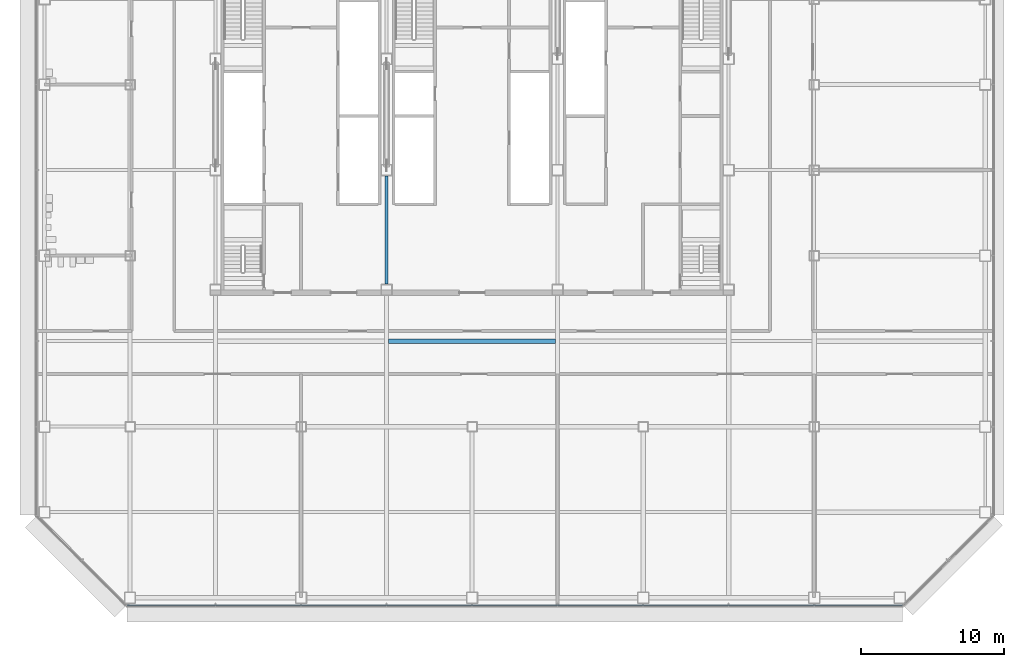
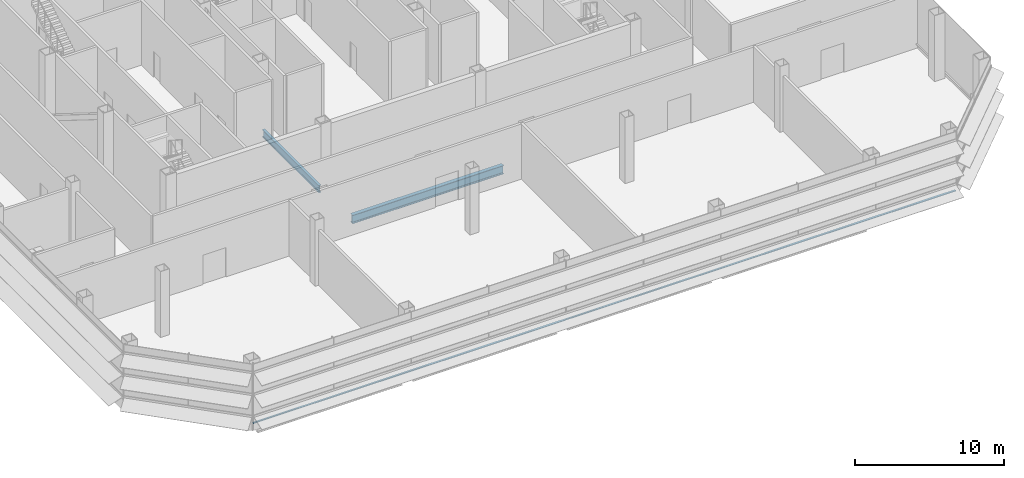
# One storey, part 6 of 23: 2 beams, 1 member, 1 element without a shape of its own.
"""IFC4 building model written with IfcOpenShell, lengths in metres."""

from ifc_helpers import new_model, si_unit, direction, frame, origin, origin_2d, place, context, subcontext, project, spatial, rectangle, i_section, extrude, material, material_profile, profile_set, type_object, element, aggregate, save


model = new_model("IFC4")

# Units and contexts
model_context = context("Model", 3, precision=1e-05, world=origin(), true_north=direction((0.0, 1.0)))
body_context = subcontext(model_context, "Body", "Model", "MODEL_VIEW")
ifc_project = project(units=[si_unit("LENGTHUNIT", "METRE"), si_unit("AREAUNIT", "SQUARE_METRE"), si_unit("VOLUMEUNIT", "CUBIC_METRE"), si_unit("PLANEANGLEUNIT", "RADIAN"), si_unit("MASSUNIT", "GRAM", prefix="KILO")], contexts=[model_context])

# Site, building, storey
site_placement = place(None, origin())
site = spatial("IfcSite", under=ifc_project, at=site_placement, CompositionType="ELEMENT")
building_placement = place(site_placement, origin())
building = spatial("IfcBuilding", under=site, at=building_placement, Name="Sorahane Residences", CompositionType="ELEMENT")
storey_placement = place(building_placement, frame((0.0, 0.0, 114.199951171875)))
storey = spatial("IfcBuildingStorey", under=building, at=storey_placement, Name="L25", CompositionType="ELEMENT", Elevation=114.199951171875)

# Curtain wall, member
ifc_material_1 = material(Name="Dark low-e glass and black anodised aluminium", Category="aluminium")
curtain_wall_type = type_object("IfcCurtainWallType", Name="Curtain wall CW-4 Sky floor frameless wall", PredefinedType="NOTDEFINED", material=ifc_material_1)
curtain_wall_placement = place(storey_placement, origin())
curtain_wall = element("IfcCurtainWall", 1, at=curtain_wall_placement, inside=storey, type_object=curtain_wall_type, Name="CW-4 curtain wall L25 S1", PredefinedType="NOTDEFINED")
ifc_material_2 = material(Name="Black anodised aluminium", Category="aluminium")
ifc_material_profile_1 = material_profile(ifc_material_2, rectangle(XDim=0.10009765625, YDim=0.06005859375, at=origin_2d()), Name="Curtain wall transom CW-4 black anodised aluminium 60x100")
ifc_profile_set_1 = profile_set([ifc_material_profile_1], Name="Black anodised aluminium")
member_type = type_object("IfcMemberType", Name="Curtain wall transom CW-4 black anodised aluminium 60x100", PredefinedType="USERDEFINED", material=ifc_profile_set_1)
member_placement = place(storey_placement, frame((-0.198486328125, -0.530029296875, 0.35009765625), z_axis=(1.0, 0.0, 0.0), x_axis=(0.0, 1.0, 0.0)))
member = element("IfcMember", 2, at=member_placement, type_object=member_type, Name="CW-4 transom L25 S1", ObjectType="TRANSOM", PredefinedType="USERDEFINED", context=body_context, shape_type="SweptSolid", body=[
    extrude(rectangle(XDim=0.10009765625, YDim=0.06005859375, at=origin_2d()), origin(), (0.0, 0.0, 1.0), 54.39697265625),
])
aggregate(curtain_wall, [member])

# Beams
ifc_material_3 = material(Name="Steel Q355B", Category="steel")
ifc_material_profile_2 = material_profile(ifc_material_3, i_section(OverallWidth=0.199951171875, OverallDepth=0.60009765625, WebThickness=0.010986328125, FlangeThickness=0.01708984375, FilletRadius=0.02392578125, at=origin_2d()), Name="HN 600x200x11x17")
ifc_profile_set_2 = profile_set([ifc_material_profile_2], Name="Steel Q355B")
beam_type_1 = type_object("IfcBeamType", Name="Steel floor beam HN 600x200x11x17 Q355B", PredefinedType="BEAM", material=ifc_profile_set_2)
beam_1_placement = place(storey_placement, frame((18.0, 22.0, -0.52001953125), z_axis=(0.0, 1.0, 0.0), x_axis=(-1.0, 0.0, 0.0)))
element("IfcBeam", 3, at=beam_1_placement, inside=storey, type_object=beam_type_1, Name="Beam L25 038", PredefinedType="BEAM", context=body_context, shape_type="SweptSolid", body=[
    extrude(i_section(OverallWidth=0.199951171875, OverallDepth=0.60009765625, WebThickness=0.010986328125, FlangeThickness=0.01708984375, FilletRadius=0.02392578125, at=origin_2d()), origin(), (0.0, 0.0, 1.0), 7.60009765625),
])
ifc_material_4 = material(Name="Steel Q355B", Category="steel")
ifc_material_profile_3 = material_profile(ifc_material_4, i_section(OverallWidth=0.300048828125, OverallDepth=0.699951171875, WebThickness=0.012939453125, FlangeThickness=0.02392578125, FilletRadius=0.028076171875, at=origin_2d()), Name="HN 700x300x13x24")
ifc_profile_set_3 = profile_set([ifc_material_profile_3], Name="Steel Q355B")
beam_type_2 = type_object("IfcBeamType", Name="Steel floor beam HN 700x300x13x24 Q355B", PredefinedType="BEAM", material=ifc_profile_set_3)
beam_2_placement = place(storey_placement, frame((18.14990234375, 18.0, -0.570068359375), z_axis=(1.0, 0.0, 0.0), x_axis=(0.0, 1.0, 0.0)))
element("IfcBeam", 4, at=beam_2_placement, inside=storey, type_object=beam_type_2, Name="Beam L25 081", PredefinedType="BEAM", context=body_context, shape_type="SweptSolid", body=[
    extrude(i_section(OverallWidth=0.300048828125, OverallDepth=0.699951171875, WebThickness=0.012939453125, FlangeThickness=0.02392578125, FilletRadius=0.028076171875, at=origin_2d()), origin(), (0.0, 0.0, 1.0), 11.7001953125),
])

save(model, "model.ifc")
